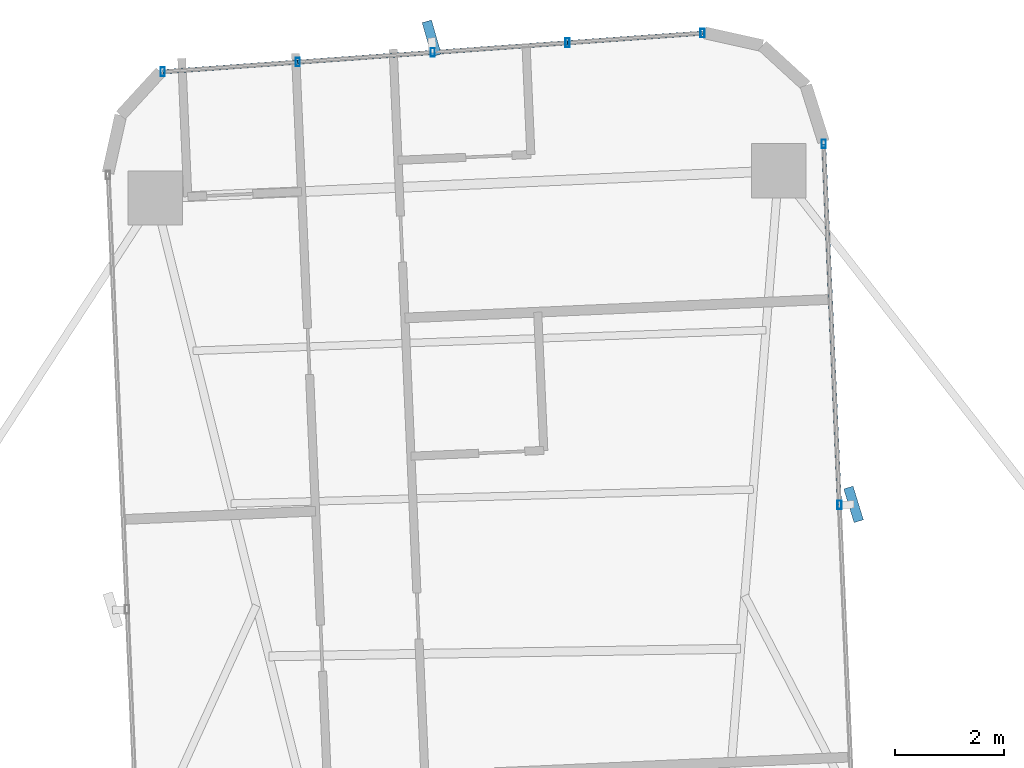
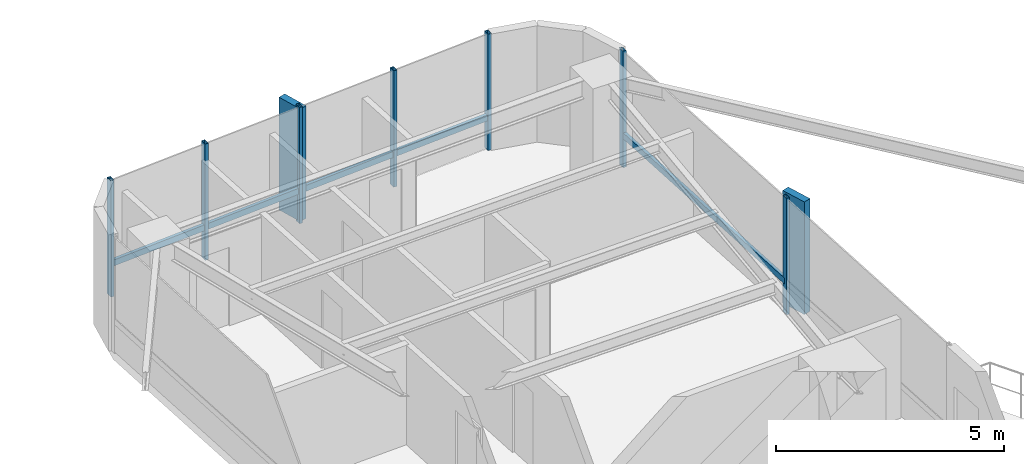
# One storey, part 19 of 26: 14 members, 2 elements without a shape of their own.
"""IFC4 building model written with IfcOpenShell, lengths in metres."""

from ifc_helpers import new_model, si_unit, direction, frame, origin, origin_2d, place, context, subcontext, project, spatial, rectangle, hollow_rectangle, extrude, source, transform, mapped, material, material_profile, profile_set, type_object, element, aggregate, save


model = new_model("IFC4")

# Units and contexts
model_context = context("Model", 3, precision=1e-05, world=origin(), true_north=direction((0.0, 1.0)))
body_context = subcontext(model_context, "Body", "Model", "MODEL_VIEW")
ifc_project = project(units=[si_unit("LENGTHUNIT", "METRE"), si_unit("AREAUNIT", "SQUARE_METRE"), si_unit("VOLUMEUNIT", "CUBIC_METRE"), si_unit("PLANEANGLEUNIT", "RADIAN"), si_unit("MASSUNIT", "GRAM", prefix="KILO")], contexts=[model_context])

# Site, building, storey
site_placement = place(None, origin())
site = spatial("IfcSite", under=ifc_project, at=site_placement, CompositionType="ELEMENT")
building_placement = place(site_placement, origin())
building = spatial("IfcBuilding", under=site, at=building_placement, Name="Sahyath Konkavel Grand Hotel", CompositionType="ELEMENT")
storey_placement = place(building_placement, frame((0.0, 0.0, 128.199951171875)))
storey = spatial("IfcBuildingStorey", under=building, at=storey_placement, Name="L35", CompositionType="ELEMENT", Elevation=128.199951171875)

# Curtain wall, member
ifc_material_1 = material(Name="Anodised Bronze Aluminium & Low-E Glazing", Category="aluminium")
curtain_wall_type = type_object("IfcCurtainWallType", Name="CW-ZONE2", PredefinedType="NOTDEFINED", material=ifc_material_1)
curtain_wall_1_placement = place(storey_placement, origin())
curtain_wall_1 = element("IfcCurtainWall", 1, at=curtain_wall_1_placement, inside=storey, type_object=curtain_wall_type, Name="L35 Unitised Curtain Wall F8", PredefinedType="NOTDEFINED")
ifc_material_2 = material(Name="Warm Buff Sandstone Cladding on Concrete C50/60", Category="masonry")
ifc_material_profile_1 = material_profile(ifc_material_2, rectangle(XDim=0.179931640625, YDim=0.64990234375, at=origin_2d()), Name="FIN 180x650")
ifc_profile_set_1 = profile_set([ifc_material_profile_1], Name="Warm Buff Sandstone Cladding on Concrete C50/60")
member_type_1 = type_object("IfcMemberType", Name="FIN-SANDSTONE-650", PredefinedType="MULLION", material=ifc_profile_set_1)
shared_shape_1 = source(origin(), body_context, "Body", "SweptSolid", [
    extrude(rectangle(XDim=0.179931640625, YDim=0.64990234375, at=origin_2d()), origin(), (0.0, 0.0, 1.0), 3.010009765625),
])
member_1_placement = place(storey_placement, frame((6.155517578125, 16.283935546875, 0.050048828125), z_axis=(0.0, 0.0, 1.0), x_axis=(0.955690317134, 0.294373942013, 0.0)))
member_1 = element("IfcMember", 2, at=member_1_placement, type_object=member_type_1, Name="L35 Sandstone Vertical Solar Fin FIN F8-1", PredefinedType="MULLION", context=body_context, shape_type="MappedRepresentation", body=[
    mapped(shared_shape_1, transform((0.0, 0.0, 0.0), scale=1.0)),
])

curtain_wall_2_placement = place(storey_placement, origin())
curtain_wall_2 = element("IfcCurtainWall", 3, at=curtain_wall_2_placement, inside=storey, type_object=curtain_wall_type, Name="L35 Unitised Curtain Wall F12", PredefinedType="NOTDEFINED")
member_2_placement = place(storey_placement, frame((-1.61865234375, 24.872314453125, 0.050048828125), z_axis=(0.0, 0.0, 1.0), x_axis=(0.961069030524, 0.276308375854, 0.0)))
member_2 = element("IfcMember", 4, at=member_2_placement, type_object=member_type_1, Name="L35 Sandstone Vertical Solar Fin FIN F12-2", PredefinedType="MULLION", context=body_context, shape_type="MappedRepresentation", body=[
    mapped(shared_shape_1, transform((0.0, 0.0, 0.0), scale=1.0)),
])

# Member
ifc_material_3 = material(Name="Anodised Bronze Aluminium", Category="aluminium")
ifc_material_profile_2 = material_profile(ifc_material_3, hollow_rectangle(XDim=0.080078125, YDim=0.159912109375, WallThickness=0.006103515625, at=origin_2d()), Name="RHS 160x80x6")
ifc_profile_set_2 = profile_set([ifc_material_profile_2], Name="Anodised Bronze Aluminium")
member_type_2 = type_object("IfcMemberType", Name="CW-MUL-160", PredefinedType="MULLION", material=ifc_profile_set_2)
shared_shape_2 = source(origin(), body_context, "Body", "SweptSolid", [
    extrude(hollow_rectangle(XDim=0.080078125, YDim=0.159912109375, WallThickness=0.006103515625, at=origin_2d()), origin(), (0.0, 0.0, 1.0), 3.110107421875),
])
member_3_placement = place(storey_placement, frame((5.895751953125, 16.272705078125, 0.0), z_axis=(0.0, 0.0, 1.0), x_axis=(1.0, 0.0, 0.0)))
member_3 = element("IfcMember", 5, at=member_3_placement, type_object=member_type_2, Name="L35 Curtain Wall Mullion F8-1", PredefinedType="MULLION", context=body_context, shape_type="MappedRepresentation", body=[
    mapped(shared_shape_2, transform((0.0, 0.0, 0.0), scale=1.0)),
])

member_4_placement = place(storey_placement, frame((5.605224609375, 22.92626953125, 0.0), z_axis=(0.0, 0.0, 1.0), x_axis=(1.0, 0.0, 0.0)))
member_4 = element("IfcMember", 6, at=member_4_placement, type_object=member_type_2, Name="L35 Curtain Wall Mullion F8-2", PredefinedType="MULLION", context=body_context, shape_type="MappedRepresentation", body=[
    mapped(shared_shape_2, transform((0.0, 0.0, 0.0), scale=1.0)),
])

member_5_placement = place(storey_placement, frame((3.3740234375, 24.9697265625, 0.0), z_axis=(0.0, 0.0, 1.0), x_axis=(1.0, 0.0, 0.0)))
member_5 = element("IfcMember", 7, at=member_5_placement, type_object=member_type_2, Name="L35 Curtain Wall Mullion F12-0", PredefinedType="MULLION", context=body_context, shape_type="MappedRepresentation", body=[
    mapped(shared_shape_2, transform((0.0, 0.0, 0.0), scale=1.0)),
])

member_6_placement = place(storey_placement, frame((0.886962890625, 24.79150390625, 0.0), z_axis=(0.0, 0.0, 1.0), x_axis=(1.0, 0.0, 0.0)))
member_6 = element("IfcMember", 8, at=member_6_placement, type_object=member_type_2, Name="L35 Curtain Wall Mullion F12-1", PredefinedType="MULLION", context=body_context, shape_type="MappedRepresentation", body=[
    mapped(shared_shape_2, transform((0.0, 0.0, 0.0), scale=1.0)),
])

member_7_placement = place(storey_placement, frame((-1.60009765625, 24.61279296875, 0.0), z_axis=(0.0, 0.0, 1.0), x_axis=(1.0, 0.0, 0.0)))
member_7 = element("IfcMember", 9, at=member_7_placement, type_object=member_type_2, Name="L35 Curtain Wall Mullion F12-2", PredefinedType="MULLION", context=body_context, shape_type="MappedRepresentation", body=[
    mapped(shared_shape_2, transform((0.0, 0.0, 0.0), scale=1.0)),
])

member_8_placement = place(storey_placement, frame((-4.087158203125, 24.4345703125, 0.0), z_axis=(0.0, 0.0, 1.0), x_axis=(1.0, 0.0, 0.0)))
member_8 = element("IfcMember", 10, at=member_8_placement, type_object=member_type_2, Name="L35 Curtain Wall Mullion F12-3", PredefinedType="MULLION", context=body_context, shape_type="MappedRepresentation", body=[
    mapped(shared_shape_2, transform((0.0, 0.0, 0.0), scale=1.0)),
])

member_9_placement = place(storey_placement, frame((-6.57421875, 24.256103515625, 0.0), z_axis=(0.0, 0.0, 1.0), x_axis=(1.0, 0.0, 0.0)))
member_9 = element("IfcMember", 11, at=member_9_placement, type_object=member_type_2, Name="L35 Curtain Wall Mullion F12-4", PredefinedType="MULLION", context=body_context, shape_type="MappedRepresentation", body=[
    mapped(shared_shape_2, transform((0.0, 0.0, 0.0), scale=1.0)),
])

ifc_material_profile_3 = material_profile(ifc_material_3, hollow_rectangle(XDim=0.080078125, YDim=0.159912109375, WallThickness=0.006103515625, at=origin_2d()), Name="RHS 160x80x6")
ifc_profile_set_3 = profile_set([ifc_material_profile_3], Name="Anodised Bronze Aluminium")
member_type_3 = type_object("IfcMemberType", Name="CW-TRN-160", PredefinedType="USERDEFINED", material=ifc_profile_set_3)
shared_shape_3 = source(origin(), body_context, "Body", "SweptSolid", [
    extrude(hollow_rectangle(XDim=0.080078125, YDim=0.159912109375, WallThickness=0.006103515625, at=origin_2d()), origin(), (0.0, 0.0, 1.0), 2.493408203125),
])
member_10_placement = place(storey_placement, frame((3.3740234375, 24.9697265625, 0.85009765625), z_axis=(-0.997442271688, -0.071476672066, 0.0), x_axis=(0.071476672066, -0.997442271688, 0.0)))
member_10 = element("IfcMember", 12, at=member_10_placement, type_object=member_type_3, Name="L35 Curtain Wall Transom F12-0-spandrel", ObjectType="TRANSOM", PredefinedType="USERDEFINED", context=body_context, shape_type="MappedRepresentation", body=[
    mapped(shared_shape_3, transform((0.0, 0.0, 0.0), scale=1.0)),
])

member_11_placement = place(storey_placement, frame((0.886962890625, 24.79150390625, 0.85009765625), z_axis=(-0.997428291631, -0.071671494009, 0.0), x_axis=(0.071671494009, -0.997428291631, 0.0)))
member_11 = element("IfcMember", 13, at=member_11_placement, type_object=member_type_3, Name="L35 Curtain Wall Transom F12-1-spandrel", ObjectType="TRANSOM", PredefinedType="USERDEFINED", context=body_context, shape_type="MappedRepresentation", body=[
    mapped(shared_shape_3, transform((0.0, 0.0, 0.0), scale=1.0)),
])

member_12_placement = place(storey_placement, frame((-1.60009765625, 24.61279296875, 0.85009765625), z_axis=(-0.997442271688, -0.071476672066, 0.0), x_axis=(0.071476672066, -0.997442271688, 0.0)))
member_12 = element("IfcMember", 14, at=member_12_placement, type_object=member_type_3, Name="L35 Curtain Wall Transom F12-2-spandrel", ObjectType="TRANSOM", PredefinedType="USERDEFINED", context=body_context, shape_type="MappedRepresentation", body=[
    mapped(shared_shape_3, transform((0.0, 0.0, 0.0), scale=1.0)),
])

member_13_placement = place(storey_placement, frame((-4.087158203125, 24.4345703125, 0.85009765625), z_axis=(-0.997435286367, -0.071574084062, 0.0), x_axis=(0.071574084062, -0.997435286367, 0.0)))
member_13 = element("IfcMember", 15, at=member_13_placement, type_object=member_type_3, Name="L35 Curtain Wall Transom F12-3-spandrel", ObjectType="TRANSOM", PredefinedType="USERDEFINED", context=body_context, shape_type="MappedRepresentation", body=[
    mapped(shared_shape_3, transform((0.0, 0.0, 0.0), scale=1.0)),
])

aggregate(curtain_wall_2, [member_5, member_6, member_7, member_2, member_8, member_9, member_10, member_11, member_12, member_13])

shared_shape_4 = source(origin(), body_context, "Body", "SweptSolid", [
    extrude(hollow_rectangle(XDim=0.080078125, YDim=0.159912109375, WallThickness=0.006103515625, at=origin_2d()), origin(), (0.0, 0.0, 1.0), 6.659912109375),
])
member_14_placement = place(storey_placement, frame((5.895751953125, 16.272705078125, 0.85009765625), z_axis=(-0.043623350741, 0.999048048529, 0.0), x_axis=(-0.999048048529, -0.043623350741, 0.0)))
member_14 = element("IfcMember", 16, at=member_14_placement, type_object=member_type_3, Name="L35 Curtain Wall Transom F8-1-spandrel", ObjectType="TRANSOM", PredefinedType="USERDEFINED", context=body_context, shape_type="MappedRepresentation", body=[
    mapped(shared_shape_4, transform((0.0, 0.0, 0.0), scale=1.0)),
])

aggregate(curtain_wall_1, [member_3, member_1, member_4, member_14])

save(model, "model.ifc")
